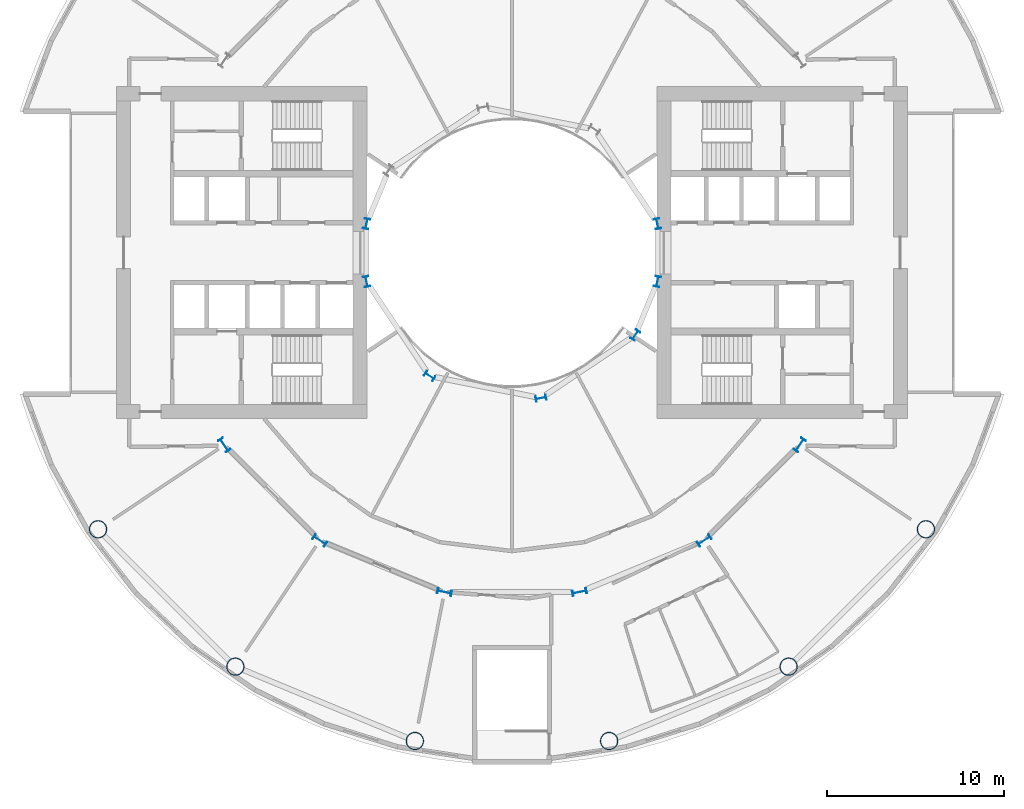
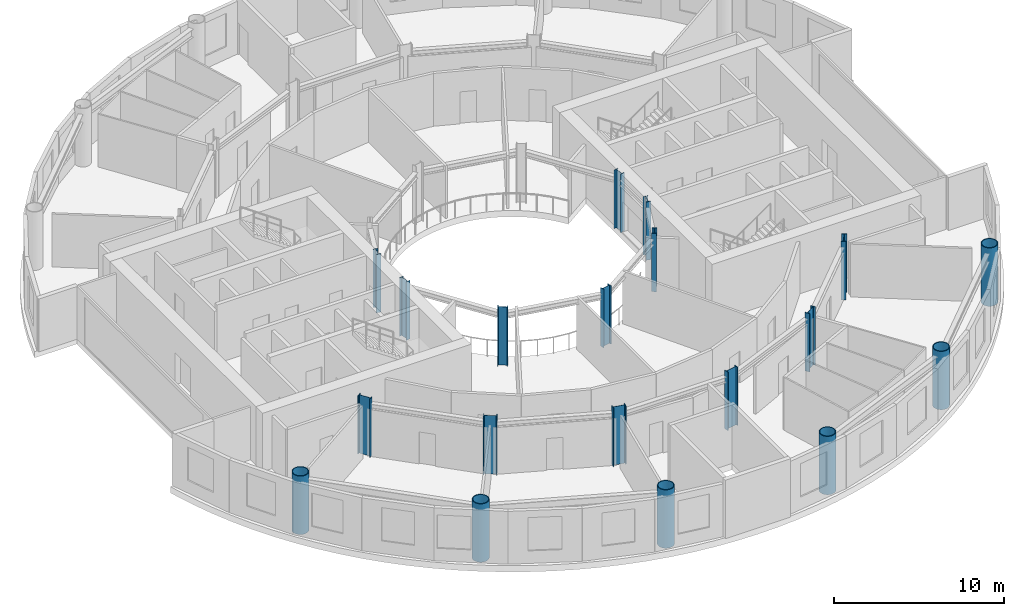
# One storey, part 1 of 13: 19 columns.
"""IFC4 building model written with IfcOpenShell, lengths in metres."""

from ifc_helpers import new_model, si_unit, direction, frame, origin, origin_2d, place, context, subcontext, project, spatial, hollow_circle, i_section, extrude, material, material_profile, profile_set, type_object, element, save


model = new_model("IFC4")

# Units and contexts
model_context = context("Model", 3, precision=1e-05, world=origin(), true_north=direction((0.0, 1.0)))
body_context = subcontext(model_context, "Body", "Model", "MODEL_VIEW")
ifc_project = project(units=[si_unit("LENGTHUNIT", "METRE"), si_unit("AREAUNIT", "SQUARE_METRE"), si_unit("VOLUMEUNIT", "CUBIC_METRE"), si_unit("PLANEANGLEUNIT", "RADIAN"), si_unit("MASSUNIT", "GRAM", prefix="KILO")], contexts=[model_context])

# Site, building, storey
site_placement = place(None, origin())
site = spatial("IfcSite", under=ifc_project, at=site_placement, CompositionType="ELEMENT")
building_placement = place(site_placement, origin())
building = spatial("IfcBuilding", under=site, at=building_placement, Name="Maasbend Ring Residences", CompositionType="ELEMENT")
storey_placement = place(building_placement, frame((0.0, 0.0, 14.10009765625)))
storey = spatial("IfcBuildingStorey", under=building, at=storey_placement, Name="L03", CompositionType="ELEMENT", Elevation=14.10009765625)

# Columns
ifc_material_1 = material(Name="Composite concrete-filled steel tube S460NH / C80/95", Category="concrete")
ifc_material_profile_1 = material_profile(ifc_material_1, hollow_circle(Radius=0.508056640625, WallThickness=0.050048828125, at=origin_2d()), Name="Composite tube column CHS 1016x50")
ifc_profile_set_1 = profile_set([ifc_material_profile_1], Name="Composite concrete-filled steel tube S460NH / C80/95")
column_type_1 = type_object("IfcColumnType", Name="Composite tube column CHS 1016x50", PredefinedType="COLUMN", material=ifc_profile_set_1)
for number, where, z_axis, x_axis, name in (
    (1, (-23.447509765625, -15.6669921875, 0.0), (0.0, 0.0, 1.0), (1.0, 0.0, 0.0), "Outer column R10"),
    (2, (-15.6669921875, -23.447509765625, 0.0), (0.0, 0.0, 1.0), (1.0, 0.0, 0.0), "Outer column R11"),
    (3, (-5.50146484375, -27.658203125, 0.0), (0.0, 0.0, 1.0), (1.0, 0.0, 0.0), "Outer column R12"),
    (4, (5.50146484375, -27.658203125, 0.0), (0.0, 0.0, 1.0), (1.0, 0.0, 0.0), "Outer column R13"),
    (5, (15.6669921875, -23.447509765625, 0.0), (0.0, 0.0, 1.0), (1.0, 0.0, 0.0), "Outer column R14"),
    (6, (23.447509765625, -15.6669921875, 0.0), (0.0, 0.0, 1.0), (1.0, 0.0, 0.0), "Outer column R15"),
):
    element("IfcColumn", number, at=place(storey_placement, frame(where, z_axis=z_axis, x_axis=x_axis)), inside=storey, type_object=column_type_1, Name=name, PredefinedType="COLUMN", context=body_context, shape_type="SweptSolid", body=[
        extrude(hollow_circle(Radius=0.508056640625, WallThickness=0.050048828125, at=origin_2d()), origin(), (0.0, 0.0, 1.0), 4.199951171875),
    ])
ifc_material_2 = material(Name="Steel S460M", Category="steel")
ifc_material_profile_2 = material_profile(ifc_material_2, i_section(OverallWidth=0.300048828125, OverallDepth=0.60009765625, WebThickness=0.015380859375, FlangeThickness=0.030029296875, FilletRadius=0.027099609375, at=origin_2d()), Name="HEB 600")
ifc_profile_set_2 = profile_set([ifc_material_profile_2], Name="Steel S460M")
column_type_2 = type_object("IfcColumnType", Name="Steel column HEB 600", PredefinedType="COLUMN", material=ifc_profile_set_2)
for number, where, z_axis, x_axis, name in (
    (7, (8.238525390625, 1.638916015625, 0.0), (0.0, 0.0, 1.0), (0.980785280403, 0.195090322016, 0.0), "Well ring column R1"),
    (8, (-8.238525390625, 1.638916015625, 0.0), (0.0, 0.0, 1.0), (-0.980785280403, 0.195090322016, 0.0), "Well ring column R8"),
    (9, (-8.238525390625, -1.638916015625, 0.0), (0.0, 0.0, 1.0), (-0.980785280403, -0.195090322016, 0.0), "Well ring column R9"),
    (10, (-4.666748046875, -6.984375, 0.0), (0.0, 0.0, 1.0), (-0.55557023302, -0.831469612303, 0.0), "Well ring column R11"),
    (11, (1.638916015625, -8.238525390625, 0.0), (0.0, 0.0, 1.0), (0.195090322016, -0.980785280403, 0.0), "Well ring column R13"),
    (12, (6.984375, -4.666748046875, 0.0), (0.0, 0.0, 1.0), (0.831469612303, -0.55557023302, 0.0), "Well ring column R15"),
    (13, (8.238525390625, -1.638916015625, 0.0), (0.0, 0.0, 1.0), (0.980785280403, -0.195090322016, 0.0), "Well ring column R16"),
):
    element("IfcColumn", number, at=place(storey_placement, frame(where, z_axis=z_axis, x_axis=x_axis)), inside=storey, type_object=column_type_2, Name=name, PredefinedType="COLUMN", context=body_context, shape_type="SweptSolid", body=[
        extrude(i_section(OverallWidth=0.300048828125, OverallDepth=0.60009765625, WebThickness=0.015380859375, FlangeThickness=0.030029296875, FilletRadius=0.027099609375, at=origin_2d()), origin(), (0.0, 0.0, 1.0), 4.199951171875),
    ])
ifc_material_3 = material(Name="Steel S460M", Category="steel")
ifc_material_profile_3 = material_profile(ifc_material_3, i_section(OverallWidth=0.302978515625, OverallDepth=0.81396484375, WebThickness=0.02099609375, FlangeThickness=0.0400390625, FilletRadius=0.030029296875, at=origin_2d()), Name="HEM 800")
ifc_profile_set_3 = profile_set([ifc_material_profile_3], Name="Steel S460M")
column_type_3 = type_object("IfcColumnType", Name="Steel column HEM 800", PredefinedType="COLUMN", material=ifc_profile_set_3)
for number, where, z_axis, x_axis, name in (
    (14, (-16.296875, -10.88916015625, 0.0), (0.0, 0.0, 1.0), (-0.831469612303, -0.55557023302, 0.0), "Corridor ring column R10"),
    (15, (-10.88916015625, -16.296875, 0.0), (0.0, 0.0, 1.0), (-0.55557023302, -0.831469612303, 0.0), "Corridor ring column R11"),
    (16, (-3.82373046875, -19.223388671875, 0.0), (0.0, 0.0, 1.0), (-0.195090322016, -0.980785280403, 0.0), "Corridor ring column R12"),
    (17, (3.82373046875, -19.223388671875, 0.0), (0.0, 0.0, 1.0), (0.195090322016, -0.980785280403, 0.0), "Corridor ring column R13"),
    (18, (10.88916015625, -16.296875, 0.0), (0.0, 0.0, 1.0), (0.55557023302, -0.831469612303, 0.0), "Corridor ring column R14"),
    (19, (16.296875, -10.88916015625, 0.0), (0.0, 0.0, 1.0), (0.831469612303, -0.55557023302, 0.0), "Corridor ring column R15"),
):
    element("IfcColumn", number, at=place(storey_placement, frame(where, z_axis=z_axis, x_axis=x_axis)), inside=storey, type_object=column_type_3, Name=name, PredefinedType="COLUMN", context=body_context, shape_type="SweptSolid", body=[
        extrude(i_section(OverallWidth=0.302978515625, OverallDepth=0.81396484375, WebThickness=0.02099609375, FlangeThickness=0.0400390625, FilletRadius=0.030029296875, at=origin_2d()), origin(), (0.0, 0.0, 1.0), 4.199951171875),
    ])

save(model, "model.ifc")
